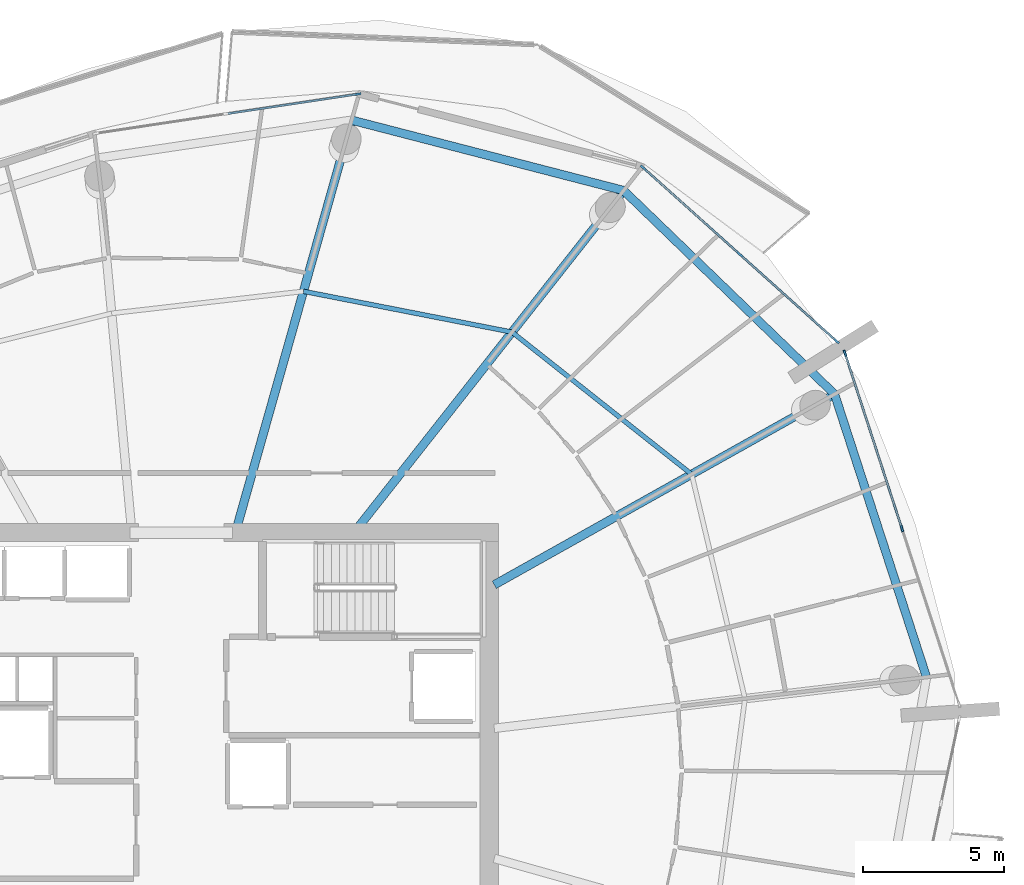
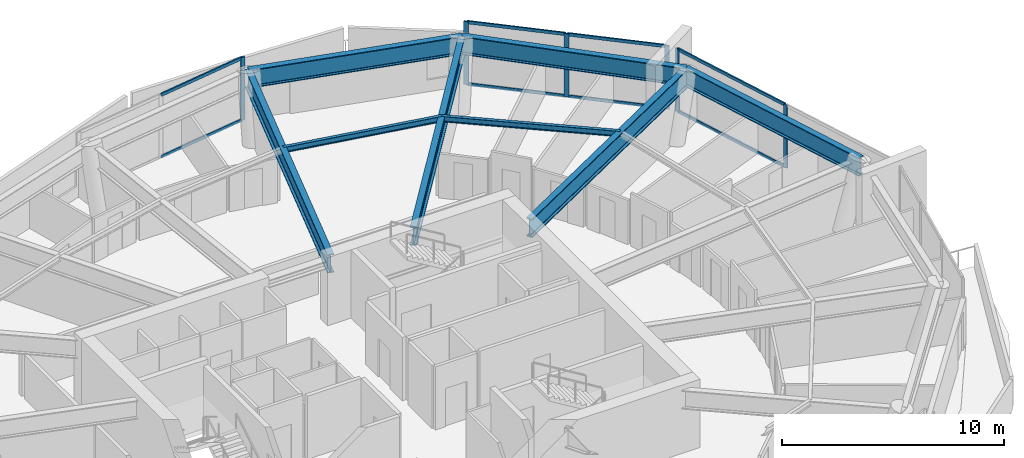
# One storey, part 8 of 20: 14 members, 8 beams, 3 elements without a shape of their own.
"""IFC4 building model written with IfcOpenShell, lengths in metres."""

from ifc_helpers import new_model, si_unit, direction, frame, origin, origin_2d, place, context, subcontext, project, spatial, rectangle, i_section, extrude, material, layer, layer_set, material_profile, profile_set, type_object, element, aggregate, save


model = new_model("IFC4")

# Units and contexts
model_context = context("Model", 3, precision=1e-05, world=origin(), true_north=direction((0.0, 1.0)))
body_context = subcontext(model_context, "Body", "Model", "MODEL_VIEW")
ifc_project = project(units=[si_unit("LENGTHUNIT", "METRE"), si_unit("AREAUNIT", "SQUARE_METRE"), si_unit("VOLUMEUNIT", "CUBIC_METRE"), si_unit("PLANEANGLEUNIT", "RADIAN"), si_unit("MASSUNIT", "GRAM", prefix="KILO")], contexts=[model_context])

# Site, building, storey
site_placement = place(None, origin())
site = spatial("IfcSite", under=ifc_project, at=site_placement, CompositionType="ELEMENT")
building_placement = place(site_placement, origin())
building = spatial("IfcBuilding", under=site, at=building_placement, Name="Kazma Halo Residences", CompositionType="ELEMENT")
storey_placement = place(building_placement, frame((0.0, 0.0, 221.550048828125)))
storey = spatial("IfcBuildingStorey", under=building, at=storey_placement, Name="L56", CompositionType="ELEMENT", Elevation=221.550048828125)

# Beams
ifc_material_1 = material(Name="Steel S355", Category="steel")
ifc_material_profile_1 = material_profile(ifc_material_1, i_section(OverallWidth=0.1650390625, OverallDepth=0.31005859375, WebThickness=0.005859375, FlangeThickness=0.009765625, FilletRadius=0.011962890625, at=origin_2d()), Name="W310x38.7")
ifc_profile_set_1 = profile_set([ifc_material_profile_1], Name="Steel S355")
beam_type_1 = type_object("IfcBeamType", Name="BM-SEC-W310B", PredefinedType="JOIST", material=ifc_profile_set_1)
beam_1_placement = place(storey_placement, frame((66.566650390625, 52.397705078125, 3.31494140625), z_axis=(-0.784171645118, 0.620543979902, 0.0), x_axis=(-0.620543979902, -0.784171645118, 0.0)))
element("IfcBeam", 1, at=beam_1_placement, inside=storey, type_object=beam_type_1, Name="L56 circumferential floor joist 01", PredefinedType="JOIST", context=body_context, shape_type="SweptSolid", body=[
    extrude(i_section(OverallWidth=0.1650390625, OverallDepth=0.31005859375, WebThickness=0.005859375, FlangeThickness=0.009765625, FilletRadius=0.011962890625, at=origin_2d()), origin(), (0.0, 0.0, 1.0), 8.1435546875),
])
beam_2_placement = place(storey_placement, frame((60.1806640625, 57.451171875, 3.31494140625), z_axis=(-0.981396096727, 0.191994013786, 0.0), x_axis=(-0.191994013786, -0.981396096727, 0.0)))
element("IfcBeam", 2, at=beam_2_placement, inside=storey, type_object=beam_type_1, Name="L56 circumferential floor joist 02", PredefinedType="JOIST", context=body_context, shape_type="SweptSolid", body=[
    extrude(i_section(OverallWidth=0.1650390625, OverallDepth=0.31005859375, WebThickness=0.005859375, FlangeThickness=0.009765625, FilletRadius=0.011962890625, at=origin_2d()), origin(), (0.0, 0.0, 1.0), 7.5546875),
])
ifc_material_profile_2 = material_profile(ifc_material_1, i_section(OverallWidth=0.302001953125, OverallDepth=1.01806640625, WebThickness=0.021484375, FlangeThickness=0.049072265625, FilletRadius=0.028076171875, at=origin_2d()), Name="W1000x443")
ifc_profile_set_2 = profile_set([ifc_material_profile_2], Name="Steel S355")
beam_type_2 = type_object("IfcBeamType", Name="BM-TRANS-W1000A", PredefinedType="BEAM", material=ifc_profile_set_2)
beam_3_placement = place(storey_placement, frame((59.550048828125, 48.46826171875, 2.9609375), z_axis=(0.872491903768, 0.488628568402, 0.0), x_axis=(-0.488628568402, 0.872491903768, 0.0)))
element("IfcBeam", 3, at=beam_3_placement, inside=storey, type_object=beam_type_2, Name="L56 podium radial transfer girder 01", PredefinedType="BEAM", context=body_context, shape_type="SweptSolid", body=[
    extrude(i_section(OverallWidth=0.302001953125, OverallDepth=1.01806640625, WebThickness=0.021484375, FlangeThickness=0.049072265625, FilletRadius=0.028076171875, at=origin_2d()), origin(), (0.0, 0.0, 1.0), 13.86572265625),
])
beam_4_placement = place(storey_placement, frame((54.700927734375, 50.5, 2.9609375), z_axis=(0.619089651904, 0.785320318663, 0.0), x_axis=(-0.785320318663, 0.619089651904, 0.0)))
element("IfcBeam", 4, at=beam_4_placement, inside=storey, type_object=beam_type_2, Name="L56 podium radial transfer girder 02", PredefinedType="BEAM", context=body_context, shape_type="SweptSolid", body=[
    extrude(i_section(OverallWidth=0.302001953125, OverallDepth=1.01806640625, WebThickness=0.021484375, FlangeThickness=0.049072265625, FilletRadius=0.028076171875, at=origin_2d()), origin(), (0.0, 0.0, 1.0), 15.26123046875),
])
beam_5_placement = place(storey_placement, frame((50.397216796875, 50.5, 2.9609375), z_axis=(0.27144590968, 0.96245369661, 0.0), x_axis=(-0.96245369661, 0.27144590968, 0.0)))
element("IfcBeam", 5, at=beam_5_placement, inside=storey, type_object=beam_type_2, Name="L56 podium radial transfer girder 03", PredefinedType="BEAM", context=body_context, shape_type="SweptSolid", body=[
    extrude(i_section(OverallWidth=0.302001953125, OverallDepth=1.01806640625, WebThickness=0.021484375, FlangeThickness=0.049072265625, FilletRadius=0.028076171875, at=origin_2d()), origin(), (0.0, 0.0, 1.0), 15.05078125),
])
ifc_material_profile_3 = material_profile(ifc_material_1, i_section(OverallWidth=0.300048828125, OverallDepth=1.0, WebThickness=0.01904296875, FlangeThickness=0.0400390625, FilletRadius=0.02587890625, at=origin_2d()), Name="W1000x371")
ifc_profile_set_3 = profile_set([ifc_material_profile_3], Name="Steel S355")
beam_type_3 = type_object("IfcBeamType", Name="BM-TRANS-W1000B", PredefinedType="BEAM", material=ifc_profile_set_3)
beam_6_placement = place(storey_placement, frame((71.647705078125, 55.243408203125, 2.969970703125), z_axis=(-0.719341330106, 0.694656786335, 0.0), x_axis=(-0.694656786335, -0.719341330106, 0.0)))
element("IfcBeam", 6, at=beam_6_placement, inside=storey, type_object=beam_type_3, Name="L56 perimeter ring beam 01", PredefinedType="BEAM", context=body_context, shape_type="SweptSolid", body=[
    extrude(i_section(OverallWidth=0.300048828125, OverallDepth=1.0, WebThickness=0.01904296875, FlangeThickness=0.0400390625, FilletRadius=0.02587890625, at=origin_2d()), origin(), (0.0, 0.0, 1.0), 10.424560546875),
])
beam_7_placement = place(storey_placement, frame((64.14892578125, 62.48486328125, 2.969970703125), z_axis=(-0.968126571525, 0.25046145713, 0.0), x_axis=(-0.25046145713, -0.968126571525, 0.0)))
element("IfcBeam", 7, at=beam_7_placement, inside=storey, type_object=beam_type_3, Name="L56 perimeter ring beam 02", PredefinedType="BEAM", context=body_context, shape_type="SweptSolid", body=[
    extrude(i_section(OverallWidth=0.300048828125, OverallDepth=1.0, WebThickness=0.01904296875, FlangeThickness=0.0400390625, FilletRadius=0.02587890625, at=origin_2d()), origin(), (0.0, 0.0, 1.0), 9.984619140625),
])
beam_8_placement = place(storey_placement, frame((74.91552734375, 45.185791015625, 2.969970703125), z_axis=(-0.309008812801, 0.951059174611, 0.0), x_axis=(-0.951059174611, -0.309008812801, 0.0)))
element("IfcBeam", 8, at=beam_8_placement, inside=storey, type_object=beam_type_3, Name="L56 perimeter ring beam 16", PredefinedType="BEAM", context=body_context, shape_type="SweptSolid", body=[
    extrude(i_section(OverallWidth=0.300048828125, OverallDepth=1.0, WebThickness=0.01904296875, FlangeThickness=0.0400390625, FilletRadius=0.02587890625, at=origin_2d()), origin(), (0.0, 0.0, 1.0), 10.5751953125),
])

# Curtain wall, members
ifc_material_2 = material(Name="Aluminium AW-6063 T6 and Triple-Silver Low-E Glass", Category="aluminium")
ifc_layer = layer(ifc_material_2, 0.219970703125)
ifc_layer_set = layer_set([ifc_layer], Name="Aluminium AW-6063 T6 and Triple-Silver Low-E Glass")
curtain_wall_type = type_object("IfcCurtainWallType", Name="CW-SYS-4", PredefinedType="NOTDEFINED", material=ifc_layer_set)
curtain_wall_1_placement = place(storey_placement, origin())
curtain_wall_1 = element("IfcCurtainWall", 9, at=curtain_wall_1_placement, inside=storey, type_object=curtain_wall_type, Name="L56 unitised curtain wall B01", PredefinedType="NOTDEFINED")
ifc_material_3 = material(Name="Aluminium AW-6063 T6", Category="aluminium")
ifc_material_profile_4 = material_profile(ifc_material_3, rectangle(XDim=0.074951171875, YDim=0.219970703125, at=origin_2d()), Name="CWM-75x220")
ifc_profile_set_4 = profile_set([ifc_material_profile_4], Name="Aluminium AW-6063 T6")
member_type_1 = type_object("IfcMemberType", Name="CW-SYS-4-MUL", PredefinedType="MULLION", material=ifc_profile_set_4)
member_1_placement = place(storey_placement, frame((71.7216796875, 57.126220703125, 0.0), z_axis=(0.0, 0.0, 1.0), x_axis=(-0.667784328806, -0.744354814723, 0.0)))
member_1 = element("IfcMember", 10, at=member_1_placement, type_object=member_type_1, Name="CWS-4 mullion 1", PredefinedType="MULLION", context=body_context, shape_type="SweptSolid", body=[
    extrude(rectangle(XDim=0.074951171875, YDim=0.219970703125, at=origin_2d()), origin(), (0.0, 0.0, 1.0), 3.469970703125),
])
member_2_placement = place(storey_placement, frame((68.280517578125, 60.213134765625, 0.0), z_axis=(0.0, 0.0, 1.0), x_axis=(-0.667784328806, -0.744354814723, 0.0)))
member_2 = element("IfcMember", 11, at=member_2_placement, type_object=member_type_1, Name="CWS-4 mullion 2", PredefinedType="MULLION", context=body_context, shape_type="SweptSolid", body=[
    extrude(rectangle(XDim=0.074951171875, YDim=0.219970703125, at=origin_2d()), origin(), (0.0, 0.0, 1.0), 3.469970703125),
])
member_3_placement = place(storey_placement, frame((64.839599609375, 63.30029296875, 0.0), z_axis=(0.0, 0.0, 1.0), x_axis=(-0.667784328806, -0.744354814723, 0.0)))
member_3 = element("IfcMember", 12, at=member_3_placement, type_object=member_type_1, Name="CWS-4 mullion 3", PredefinedType="MULLION", context=body_context, shape_type="SweptSolid", body=[
    extrude(rectangle(XDim=0.074951171875, YDim=0.219970703125, at=origin_2d()), origin(), (0.0, 0.0, 1.0), 3.469970703125),
])

# Curtain wall, member
curtain_wall_2_placement = place(storey_placement, origin())
curtain_wall_2 = element("IfcCurtainWall", 13, at=curtain_wall_2_placement, inside=storey, type_object=curtain_wall_type, Name="L56 unitised curtain wall B03", PredefinedType="NOTDEFINED")
member_4_placement = place(storey_placement, frame((54.708740234375, 65.913330078125, 0.0), z_axis=(0.0, 0.0, 1.0), x_axis=(0.148772639188, -0.988871428361, 0.0)))
member_4 = element("IfcMember", 14, at=member_4_placement, type_object=member_type_1, Name="CWS-4 mullion 1", PredefinedType="MULLION", context=body_context, shape_type="SweptSolid", body=[
    extrude(rectangle(XDim=0.074951171875, YDim=0.219970703125, at=origin_2d()), origin(), (0.0, 0.0, 1.0), 3.469970703125),
])

# Curtain wall, members
curtain_wall_3_placement = place(storey_placement, origin())
curtain_wall_3 = element("IfcCurtainWall", 15, at=curtain_wall_3_placement, inside=storey, type_object=curtain_wall_type, Name="L56 unitised curtain wall B16", PredefinedType="NOTDEFINED")
member_5_placement = place(storey_placement, frame((74.04345703125, 50.4619140625, 0.0), z_axis=(0.0, 0.0, 1.0), x_axis=(-0.951056893636, -0.309015833038, 0.0)))
member_5 = element("IfcMember", 16, at=member_5_placement, type_object=member_type_1, Name="CWS-4 mullion 2", PredefinedType="MULLION", context=body_context, shape_type="SweptSolid", body=[
    extrude(rectangle(XDim=0.074951171875, YDim=0.219970703125, at=origin_2d()), origin(), (0.0, 0.0, 1.0), 3.469970703125),
])
member_6_placement = place(storey_placement, frame((72.015625, 56.702880859375, 0.0), z_axis=(0.0, 0.0, 1.0), x_axis=(-0.951056893636, -0.309015833038, 0.0)))
member_6 = element("IfcMember", 17, at=member_6_placement, type_object=member_type_1, Name="CWS-4 mullion 3", PredefinedType="MULLION", context=body_context, shape_type="SweptSolid", body=[
    extrude(rectangle(XDim=0.074951171875, YDim=0.219970703125, at=origin_2d()), origin(), (0.0, 0.0, 1.0), 3.469970703125),
])

# Member
ifc_material_profile_5 = material_profile(ifc_material_3, rectangle(XDim=0.074951171875, YDim=0.1650390625, at=origin_2d()), Name="CWT-75x165")
ifc_profile_set_5 = profile_set([ifc_material_profile_5], Name="Aluminium AW-6063 T6")
member_type_2 = type_object("IfcMemberType", Name="CW-SYS-4-TRN", PredefinedType="USERDEFINED", material=ifc_profile_set_5)
member_7_placement = place(storey_placement, frame((71.69384765625, 57.151123046875, 0.037353515625), z_axis=(-0.744344906673, 0.667795372783, 0.0), x_axis=(-0.667795372783, -0.744344906673, 0.0)))
member_7 = element("IfcMember", 18, at=member_7_placement, type_object=member_type_2, Name="CWS-4 transom 1.1", ObjectType="TRANSOM", PredefinedType="USERDEFINED", context=body_context, shape_type="SweptSolid", body=[
    extrude(rectangle(XDim=0.074951171875, YDim=0.1650390625, at=origin_2d()), origin(), (0.0, 0.0, 1.0), 4.5478515625),
])

member_8_placement = place(storey_placement, frame((71.69384765625, 57.151123046875, 3.432373046875), z_axis=(-0.744344906673, 0.667795372783, 0.0), x_axis=(-0.667795372783, -0.744344906673, 0.0)))
member_8 = element("IfcMember", 19, at=member_8_placement, type_object=member_type_2, Name="CWS-4 transom 1.2", ObjectType="TRANSOM", PredefinedType="USERDEFINED", context=body_context, shape_type="SweptSolid", body=[
    extrude(rectangle(XDim=0.074951171875, YDim=0.1650390625, at=origin_2d()), origin(), (0.0, 0.0, 1.0), 4.5478515625),
])

member_9_placement = place(storey_placement, frame((68.252685546875, 60.23828125, 0.037353515625), z_axis=(-0.744344906673, 0.667795372783, 0.0), x_axis=(-0.667795372783, -0.744344906673, 0.0)))
member_9 = element("IfcMember", 20, at=member_9_placement, type_object=member_type_2, Name="CWS-4 transom 2.1", ObjectType="TRANSOM", PredefinedType="USERDEFINED", context=body_context, shape_type="SweptSolid", body=[
    extrude(rectangle(XDim=0.074951171875, YDim=0.1650390625, at=origin_2d()), origin(), (0.0, 0.0, 1.0), 4.5478515625),
])

member_10_placement = place(storey_placement, frame((68.252685546875, 60.23828125, 3.432373046875), z_axis=(-0.744344906673, 0.667795372783, 0.0), x_axis=(-0.667795372783, -0.744344906673, 0.0)))
member_10 = element("IfcMember", 21, at=member_10_placement, type_object=member_type_2, Name="CWS-4 transom 2.2", ObjectType="TRANSOM", PredefinedType="USERDEFINED", context=body_context, shape_type="SweptSolid", body=[
    extrude(rectangle(XDim=0.074951171875, YDim=0.1650390625, at=origin_2d()), origin(), (0.0, 0.0, 1.0), 4.5478515625),
])

aggregate(curtain_wall_1, [member_1, member_2, member_3, member_7, member_8, member_9, member_10])

member_11_placement = place(storey_placement, frame((54.671630859375, 65.907958984375, 0.037353515625), z_axis=(-0.988867623216, -0.148797929272, 0.0), x_axis=(0.148797929272, -0.988867623216, 0.0)))
member_11 = element("IfcMember", 22, at=member_11_placement, type_object=member_type_2, Name="CWS-4 transom 1.1", ObjectType="TRANSOM", PredefinedType="USERDEFINED", context=body_context, shape_type="SweptSolid", body=[
    extrude(rectangle(XDim=0.074951171875, YDim=0.1650390625, at=origin_2d()), origin(), (0.0, 0.0, 1.0), 4.64501953125),
])

member_12_placement = place(storey_placement, frame((54.671630859375, 65.907958984375, 3.432373046875), z_axis=(-0.988867623216, -0.148797929272, 0.0), x_axis=(0.148797929272, -0.988867623216, 0.0)))
member_12 = element("IfcMember", 23, at=member_12_placement, type_object=member_type_2, Name="CWS-4 transom 1.2", ObjectType="TRANSOM", PredefinedType="USERDEFINED", context=body_context, shape_type="SweptSolid", body=[
    extrude(rectangle(XDim=0.074951171875, YDim=0.1650390625, at=origin_2d()), origin(), (0.0, 0.0, 1.0), 4.64501953125),
])

aggregate(curtain_wall_2, [member_4, member_11, member_12])

member_13_placement = place(storey_placement, frame((74.031982421875, 50.49755859375, 0.037353515625), z_axis=(-0.309015440644, 0.951057021132, 0.0), x_axis=(-0.951057021132, -0.309015440644, 0.0)))
member_13 = element("IfcMember", 24, at=member_13_placement, type_object=member_type_2, Name="CWS-4 transom 2.1", ObjectType="TRANSOM", PredefinedType="USERDEFINED", context=body_context, shape_type="SweptSolid", body=[
    extrude(rectangle(XDim=0.074951171875, YDim=0.1650390625, at=origin_2d()), origin(), (0.0, 0.0, 1.0), 6.487060546875),
])

member_14_placement = place(storey_placement, frame((74.031982421875, 50.49755859375, 3.432373046875), z_axis=(-0.309015440644, 0.951057021132, 0.0), x_axis=(-0.951057021132, -0.309015440644, 0.0)))
member_14 = element("IfcMember", 25, at=member_14_placement, type_object=member_type_2, Name="CWS-4 transom 2.2", ObjectType="TRANSOM", PredefinedType="USERDEFINED", context=body_context, shape_type="SweptSolid", body=[
    extrude(rectangle(XDim=0.074951171875, YDim=0.1650390625, at=origin_2d()), origin(), (0.0, 0.0, 1.0), 6.487060546875),
])

aggregate(curtain_wall_3, [member_5, member_6, member_13, member_14])

save(model, "model.ifc")
